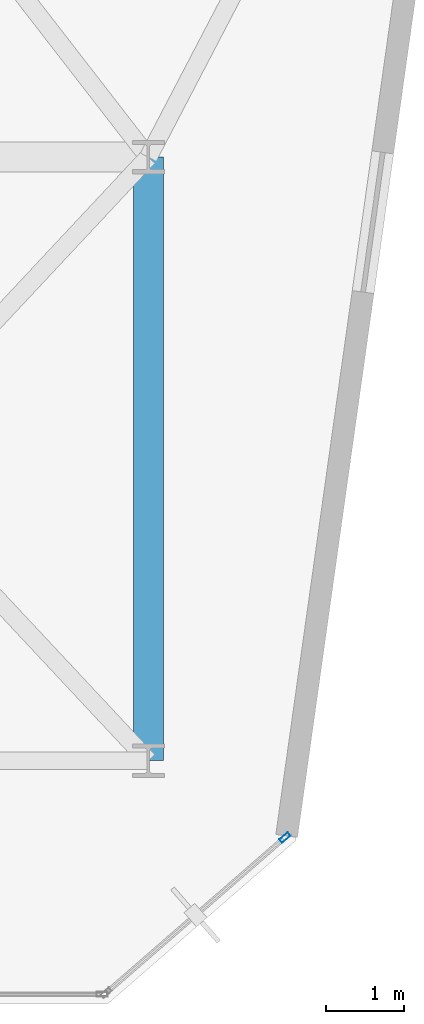
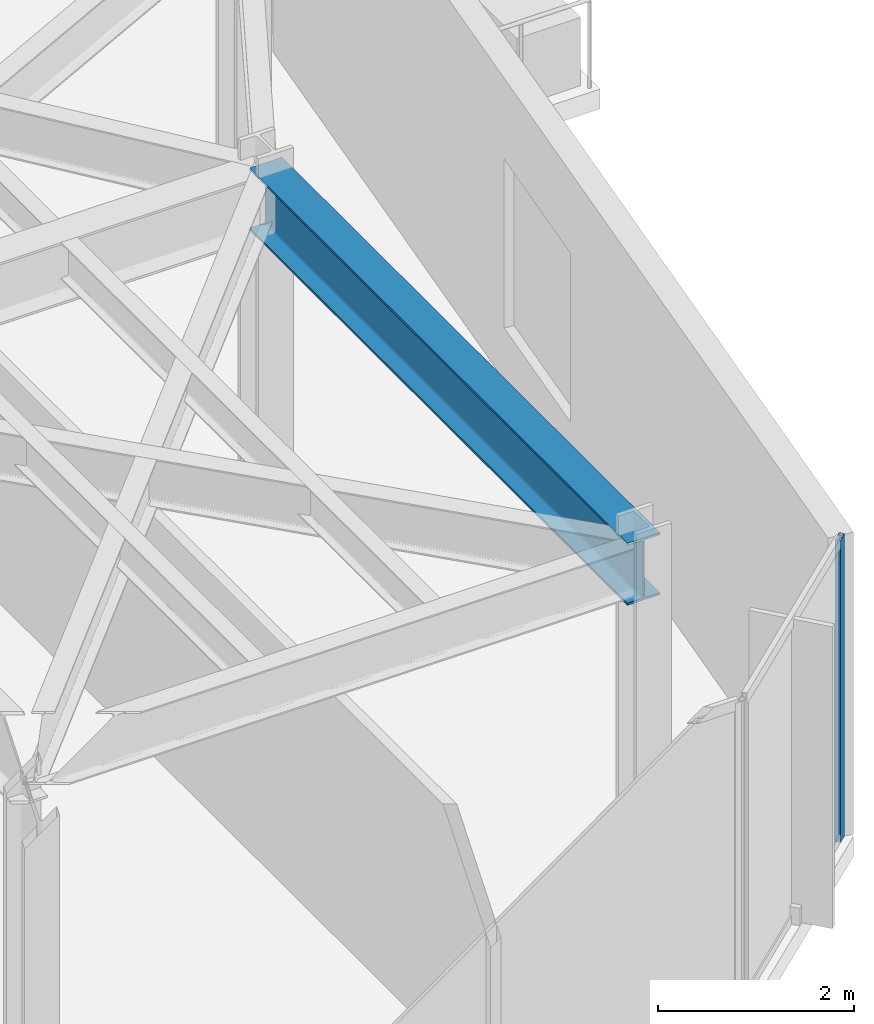
# One storey, part 20 of 26: 1 beam, 1 member, 1 element without a shape of its own.
"""IFC4 building model written with IfcOpenShell, lengths in metres."""

from ifc_helpers import new_model, si_unit, direction, frame, origin, origin_2d, place, context, subcontext, project, spatial, hollow_rectangle, i_section, extrude, material, layer, layer_set, material_profile, profile_set, type_object, element, aggregate, save


model = new_model("IFC4")

# Units and contexts
model_context = context("Model", 3, precision=1e-05, world=origin(), true_north=direction((0.0, 1.0)))
body_context = subcontext(model_context, "Body", "Model", "MODEL_VIEW")
ifc_project = project(units=[si_unit("LENGTHUNIT", "METRE"), si_unit("AREAUNIT", "SQUARE_METRE"), si_unit("VOLUMEUNIT", "CUBIC_METRE"), si_unit("PLANEANGLEUNIT", "RADIAN"), si_unit("MASSUNIT", "GRAM", prefix="KILO")], contexts=[model_context])

# Site, building, storey
site_placement = place(None, origin())
site = spatial("IfcSite", under=ifc_project, at=site_placement, CompositionType="ELEMENT")
building_placement = place(site_placement, origin())
building = spatial("IfcBuilding", under=site, at=building_placement, Name="Kravanh Interchange Tower", CompositionType="ELEMENT")
storey_placement = place(building_placement, frame((0.0, 0.0, 172.5)))
storey = spatial("IfcBuildingStorey", under=building, at=storey_placement, Name="L41", CompositionType="ELEMENT", Elevation=172.5)

# Curtain wall, member
ifc_material_1 = material(Name="Anodised Bronze Aluminium", Category="aluminium")
ifc_layer = layer(ifc_material_1, 0.179931640625)
ifc_layer_set = layer_set([ifc_layer], Name="Unitised Curtain Wall System CW-Z3 Upper Office")
curtain_wall_type = type_object("IfcCurtainWallType", Name="Unitised Curtain Wall System CW-Z3 Upper Office", PredefinedType="NOTDEFINED", material=ifc_layer_set)
curtain_wall_placement = place(storey_placement, origin())
curtain_wall = element("IfcCurtainWall", 1, at=curtain_wall_placement, inside=storey, type_object=curtain_wall_type, Name="L41 Unitised Curtain Wall CW-L41-02", PredefinedType="NOTDEFINED")
ifc_material_2 = material(Name="Anodised Bronze Aluminium", Category="aluminium")
ifc_material_profile_1 = material_profile(ifc_material_2, hollow_rectangle(XDim=0.06005859375, YDim=0.139892578125, WallThickness=0.00390625, at=origin_2d()), Name="ALU60X140X4")
ifc_profile_set_1 = profile_set([ifc_material_profile_1], Name="Anodised Bronze Aluminium")
member_type = type_object("IfcMemberType", Name="Curtain Wall Mullion ALU60X140X4 Bronze", PredefinedType="MULLION", material=ifc_profile_set_1)
member_placement = place(storey_placement, frame((64.94287109375, 13.52099609375, 0.0), z_axis=(0.0, 0.0, 1.0), x_axis=(0.65605090137, -0.754716645379, 0.0)))
member = element("IfcMember", 2, at=member_placement, type_object=member_type, Name="CW-Z3 mullion 1", PredefinedType="MULLION", context=body_context, shape_type="SweptSolid", body=[
    extrude(hollow_rectangle(XDim=0.06005859375, YDim=0.139892578125, WallThickness=0.00390625, at=origin_2d()), origin(), (0.0, 0.0, 1.0), 3.7548828125),
])
aggregate(curtain_wall, [member])

# Beam
ifc_material_3 = material(Name="Structural Steel S355", Category="steel")
ifc_material_profile_2 = material_profile(ifc_material_3, i_section(OverallWidth=0.381103515625, OverallDepth=0.77294921875, WebThickness=0.0166015625, FlangeThickness=0.027099609375, FilletRadius=0.02490234375, at=origin_2d()), Name="W30X173")
ifc_profile_set_2 = profile_set([ifc_material_profile_2], Name="Structural Steel S355")
beam_type = type_object("IfcBeamType", Name="Floor Beam W30X173 Structural Steel S355", PredefinedType="BEAM", material=ifc_profile_set_2)
beam_placement = place(storey_placement, frame((63.199951171875, 14.5, 3.368408203125), z_axis=(0.0, 1.0, 0.0), x_axis=(-1.0, 0.0, 0.0)))
element("IfcBeam", 3, at=beam_placement, inside=storey, type_object=beam_type, Name="L41 Primary Floor Girder 89", PredefinedType="BEAM", context=body_context, shape_type="SweptSolid", body=[
    extrude(i_section(OverallWidth=0.381103515625, OverallDepth=0.77294921875, WebThickness=0.0166015625, FlangeThickness=0.027099609375, FilletRadius=0.02490234375, at=origin_2d()), origin(), (0.0, 0.0, 1.0), 7.699951171875),
])

save(model, "model.ifc")
